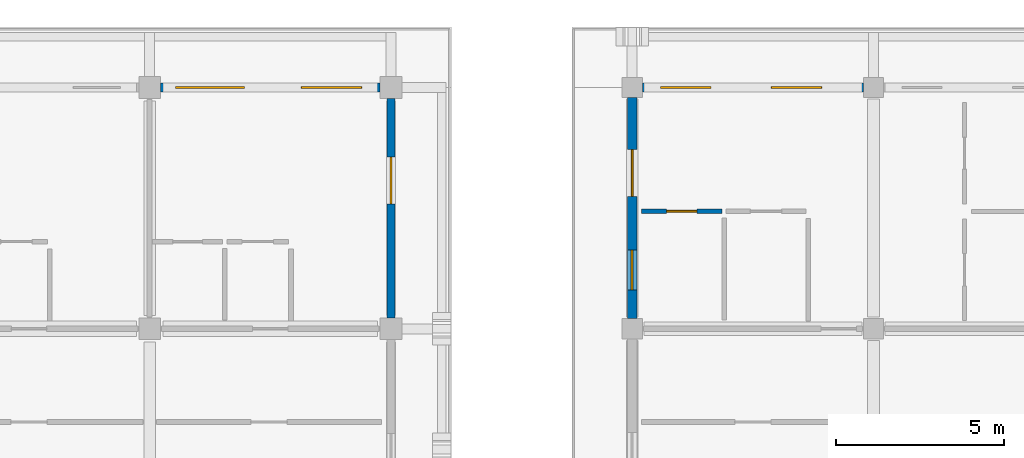
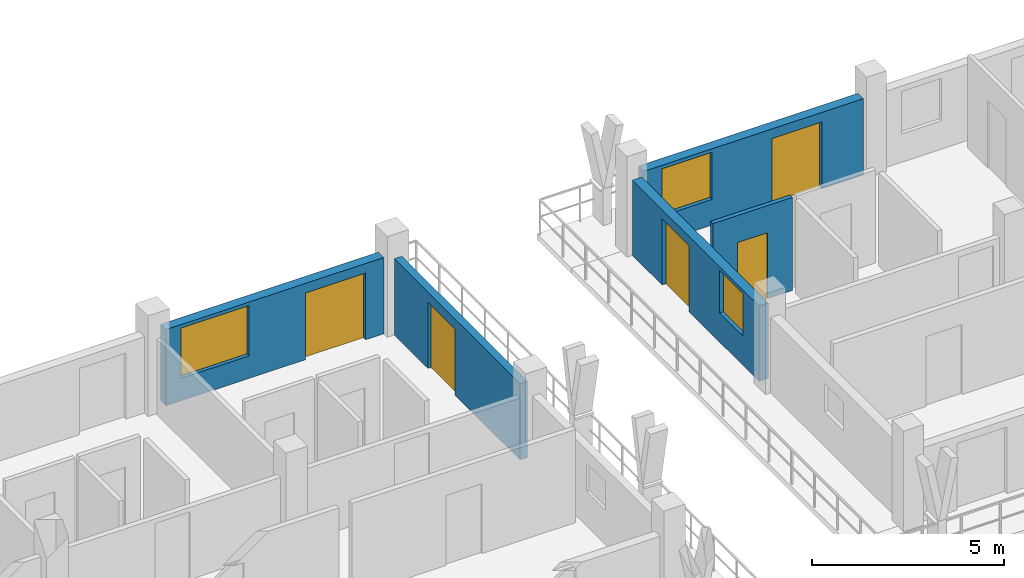
# One storey, part 127 of 157: 5 doors, 5 walls, 3 windows, 8 openings.
"""IFC4 building model written with IfcOpenShell, lengths in metres."""

import ifcopenshell
import ifcopenshell.guid

model = None  # the IFC model being written
_history = None  # IfcOwnerHistory: only IFC2X3 demands one
_inside = {}  # id of a spatial element -> (the spatial element, [elements in it])
_under = {}  # id of a project, library or spatial element -> (it, [spatial elements below it])
_declared = {}  # id of a project -> (the project, [libraries it declares])
_typed = {}  # id of a type object -> (the type object, [elements of that type])
_made_of = {}  # id of a material, layer set ... -> (it, [elements and type objects made of it])


def new_model(schema):
    """Start an empty IFC model of exactly this schema.

    Asked for "IFC4X3", IfcOpenShell would pick the latest addendum, in which some entities
    have other attributes; the version numbers below select the first issue.
    IFC2X3 requires an IfcOwnerHistory on every rooted entity: one is made here for all.
    """
    global model, _history
    if schema == "IFC4X3":
        model = ifcopenshell.file(schema_version=(4, 3, 0, 0))
    else:
        model = ifcopenshell.file(schema=schema)
    _inside.clear()
    _under.clear()
    _declared.clear()
    _typed.clear()
    _made_of.clear()
    _history = None
    if model.schema == "IFC2X3":
        org = make("IfcOrganization", Name="unknown")
        user = make(
            "IfcPersonAndOrganization",
            ThePerson=make("IfcPerson", FamilyName="unknown"),
            TheOrganization=org,
        )
        app = make(
            "IfcApplication",
            ApplicationDeveloper=org,
            Version="unknown",
            ApplicationFullName="unknown",
            ApplicationIdentifier="unknown",
        )
        _history = make(
            "IfcOwnerHistory",
            OwningUser=user,
            OwningApplication=app,
            ChangeAction="ADDED",
            CreationDate=0,
        )
    return model


def make(cls, **values):
    """One entity of the class cls with the attributes given. An attribute that is None is left unset."""
    return model.create_entity(
        cls, **{name: value for name, value in values.items() if value is not None}
    )


def rooted(cls, **values):
    """An entity with a GlobalId (a new one), such as an element, a storey or a relation."""
    return make(cls, GlobalId=ifcopenshell.guid.new(), OwnerHistory=_history, **values)


def si_unit(unit_type, name, prefix=None):
    """IfcSIUnit, for example si_unit("LENGTHUNIT", "METRE", prefix="MILLI")."""
    return make("IfcSIUnit", UnitType=unit_type, Prefix=prefix, Name=name)


def assignment(units):
    """IfcUnitAssignment: the units of a project."""
    return None if units is None else make("IfcUnitAssignment", Units=units)


def point(xyz):
    """IfcCartesianPoint."""
    return None if xyz is None else make("IfcCartesianPoint", Coordinates=xyz)


def direction(xyz):
    """IfcDirection."""
    return None if xyz is None else make("IfcDirection", DirectionRatios=xyz)


def frame(location, z_axis=None, x_axis=None):
    """IfcAxis2Placement3D, a coordinate frame: its origin and axes. An axis left out is left unset."""
    return make(
        "IfcAxis2Placement3D",
        Location=point(location),
        Axis=direction(z_axis),
        RefDirection=direction(x_axis),
    )


def frame_2d(location, x_axis=None):
    """IfcAxis2Placement2D, a coordinate frame in the plane: its origin and x axis."""
    return make(
        "IfcAxis2Placement2D", Location=point(location), RefDirection=direction(x_axis)
    )


def origin():
    """The frame at (0, 0, 0) with its axes left unset."""
    return frame((0.0, 0.0, 0.0))


def place(relative_to, where):
    """IfcLocalPlacement: puts the frame where relative to a parent placement (None: the world)."""
    return make(
        "IfcLocalPlacement", PlacementRelTo=relative_to, RelativePlacement=where
    )


def context(
    kind, dimensions, precision=None, world=None, true_north=None, identifier=None
):
    """IfcGeometricRepresentationContext, for example the 3D "Model" context."""
    return make(
        "IfcGeometricRepresentationContext",
        ContextIdentifier=identifier,
        ContextType=kind,
        CoordinateSpaceDimension=dimensions,
        Precision=precision,
        WorldCoordinateSystem=world,
        TrueNorth=true_north,
    )


def subcontext(parent, identifier, kind, view, scale=None):
    """IfcGeometricRepresentationSubContext, for example "Body" below "Model"."""
    return make(
        "IfcGeometricRepresentationSubContext",
        ContextIdentifier=identifier,
        ContextType=kind,
        ParentContext=parent,
        TargetScale=scale,
        TargetView=view,
    )


def project(units=None, contexts=None):
    """IfcProject with its units and contexts."""
    return rooted(
        "IfcProject",
        Name="project",
        RepresentationContexts=contexts,
        UnitsInContext=assignment(units),
    )


def spatial(cls, under=None, at=None, **own):
    """A site, building, storey or space (cls), placed at a placement, below another one or the project."""
    s = rooted(cls, ObjectPlacement=at, **own)
    if under is not None:
        _under.setdefault(under.id(), (under, []))[1].append(s)
    return s


def profile(cls, at=None, kind="AREA", **sizes):
    """A parametric profile (cls). Its sizes go by their IFC names, for example OverallWidth=200.0."""
    return make(cls, ProfileType=kind, Position=at, **sizes)


def rectangle(**sizes):
    """IfcRectangleProfileDef."""
    return profile("IfcRectangleProfileDef", **sizes)


def extrude(swept, where, along, depth):
    """IfcExtrudedAreaSolid: the profile swept, set in the frame where, extruded along a direction by depth."""
    return make(
        "IfcExtrudedAreaSolid",
        SweptArea=swept,
        Position=where,
        ExtrudedDirection=direction(along),
        Depth=depth,
    )


def shape(context_of_items, identifier, shape_type, items):
    """IfcShapeRepresentation: the items that make up one representation, for example the "Body"."""
    return make(
        "IfcShapeRepresentation",
        ContextOfItems=context_of_items,
        RepresentationIdentifier=identifier,
        RepresentationType=shape_type,
        Items=items,
    )


def material(Name=None, Category=None):
    """IfcMaterial."""
    return make("IfcMaterial", Name=Name, Category=Category)


def layer(
    of_material, thickness, ventilated=None, Name=None, Category=None, Priority=None
):
    """IfcMaterialLayer: one layer of a wall or slab, of a material (None: an air gap)."""
    return make(
        "IfcMaterialLayer",
        Material=of_material,
        LayerThickness=thickness,
        IsVentilated=ventilated,
        Name=Name,
        Category=Category,
        Priority=Priority,
    )


def layer_set(layers, Name=None):
    """IfcMaterialLayerSet."""
    return make("IfcMaterialLayerSet", MaterialLayers=layers, LayerSetName=Name)


def made_of(thing, what):
    """Note that an element or type object is made of a material, layer set ...; save() writes the relation."""
    if what is not None:
        _made_of.setdefault(what.id(), (what, []))[1].append(thing)
    return thing


def type_object(cls, material=None, **own):
    """A type object (cls), such as IfcWallType, which elements share."""
    return made_of(rooted(cls, **own), material)


def element(
    cls,
    number,
    at=None,
    inside=None,
    cuts=None,
    type_object=None,
    material=None,
    context=None,
    identifier="Body",
    shape_type=None,
    held_by="IfcProductDefinitionShape",
    body=None,
    shapes=None,
    **own,
):
    """One element of the class cls, such as IfcWall. Its Tag is "e" and its number.

    at: its placement. inside: the storey or other place that contains it. cuts: it is an
    opening in that element (IfcRelVoidsElement). A single representation is given by context,
    identifier, shape_type and body (its items); several are given by shapes. held_by: the class
    of the entity that holds the representations. save() writes the other relations.
    """
    e = rooted(cls, Tag="e%d" % number, ObjectPlacement=at, **own)
    if body is not None:
        shapes = [shape(context, identifier, shape_type, body)]
    if shapes is not None:
        e.Representation = make(held_by, Representations=shapes)
    if inside is not None:
        _inside.setdefault(inside.id(), (inside, []))[1].append(e)
    if cuts is not None:
        rooted(
            "IfcRelVoidsElement", RelatingBuildingElement=cuts, RelatedOpeningElement=e
        )
    if type_object is not None:
        _typed.setdefault(type_object.id(), (type_object, []))[1].append(e)
    return made_of(e, material)


def fill(opening, filler):
    """IfcRelFillsElement: the door or window that sits in an opening."""
    return rooted(
        "IfcRelFillsElement",
        RelatingOpeningElement=opening,
        RelatedBuildingElement=filler,
    )


def aggregate(whole, parts):
    """IfcRelAggregates: a whole, such as a stair, and the parts it consists of."""
    return rooted("IfcRelAggregates", RelatingObject=whole, RelatedObjects=parts)


def save(model, path):
    """Write the relations noted so far, then the file.

    IfcRelAggregates (storeys below a building ...), IfcRelContainedInSpatialStructure (elements
    in a storey), IfcRelDefinesByType, IfcRelAssociatesMaterial and IfcRelDeclares: one each for
    every whole, place, type object, material and project.
    """
    for whole, parts in _under.values():
        aggregate(whole, parts)
    for where, things in _inside.values():
        rooted(
            "IfcRelContainedInSpatialStructure",
            RelatedElements=things,
            RelatingStructure=where,
        )
    for kind, things in _typed.values():
        rooted("IfcRelDefinesByType", RelatedObjects=things, RelatingType=kind)
    for what, things in _made_of.values():
        rooted("IfcRelAssociatesMaterial", RelatedObjects=things, RelatingMaterial=what)
    for by, libraries in _declared.values():
        rooted("IfcRelDeclares", RelatingContext=by, RelatedDefinitions=libraries)
    model.write(path)


model = new_model("IFC4")

# Units and contexts
model_context = context("Model", 3, precision=1e-05, world=origin(), true_north=direction((0.0, 1.0)))
body_context = subcontext(model_context, "Body", "Model", "MODEL_VIEW")
ifc_project = project(units=[si_unit("LENGTHUNIT", "METRE"), si_unit("AREAUNIT", "SQUARE_METRE"), si_unit("VOLUMEUNIT", "CUBIC_METRE"), si_unit("PLANEANGLEUNIT", "RADIAN"), si_unit("MASSUNIT", "GRAM", prefix="KILO")], contexts=[model_context])

# Site, building, storey
site_placement = place(None, origin())
site = spatial("IfcSite", under=ifc_project, at=site_placement, CompositionType="ELEMENT")
building_placement = place(site_placement, origin())
building = spatial("IfcBuilding", under=site, at=building_placement, Name="Suanplinth Sawtooth Commons", CompositionType="ELEMENT")
storey_placement = place(building_placement, frame((0.0, 0.0, 9.0)))
storey = spatial("IfcBuildingStorey", under=building, at=storey_placement, Name="L02", CompositionType="ELEMENT", Elevation=9.0)

# Wall, openings, door, window
ifc_material_1 = material(Name="Precast concrete C40/50", Category="concrete")
ifc_layer_1 = layer(ifc_material_1, 0.280029296875, Name="Insulated precast architectural facade wall 280mm")
ifc_layer_set_1 = layer_set([ifc_layer_1], Name="Precast concrete C40/50")
wall_type_1 = type_object("IfcWallType", Name="W-EX01", PredefinedType="ELEMENTEDWALL", material=ifc_layer_set_1)
wall_1_placement = place(storey_placement, frame((108.324951171875, 122.39990234375, 0.0), z_axis=(0.0, 0.0, 1.0), x_axis=(1.0, 0.0, 0.0)))
wall_1 = element("IfcWall", 1, at=wall_1_placement, inside=storey, type_object=wall_type_1, Name="Facade Wall W-L02-A-N-15", PredefinedType="ELEMENTEDWALL", context=body_context, shape_type="SweptSolid", body=[
    extrude(rectangle(XDim=6.550048828125, YDim=0.280029296875, at=frame_2d((3.27490234375, 0.0))), origin(), (0.0, 0.0, 1.0), 2.425048828125),
])
opening_1_placement = place(wall_1_placement, frame((4.199951171875, 0.0, 0.0)))
opening_1 = element("IfcOpeningElement", 2, at=opening_1_placement, cuts=wall_1, Name="Opening ED0151", PredefinedType="OPENING", context=body_context, shape_type="SweptSolid", body=[
    extrude(rectangle(XDim=1.800048828125, YDim=2.1201171875, at=frame_2d((0.89990234375, 1.06005859375))), frame((0.0, 0.15478515625, 0.0), z_axis=(0.0, -1.0, 0.0), x_axis=(1.0, 0.0, 0.0)), (0.0, 0.0, 1.0), 0.309814453125),
])
opening_2_placement = place(wall_1_placement, frame((0.449951171875, 0.0, 0.715087890625)))
opening_2 = element("IfcOpeningElement", 3, at=opening_2_placement, cuts=wall_1, Name="Opening W0265", PredefinedType="OPENING", context=body_context, shape_type="SweptSolid", body=[
    extrude(rectangle(XDim=2.050048828125, YDim=1.60009765625, at=frame_2d((1.02490234375, 0.800048828125))), frame((0.0, 0.15478515625, 0.0), z_axis=(0.0, -1.0, 0.0), x_axis=(1.0, 0.0, 0.0)), (0.0, 0.0, 1.0), 0.309814453125),
])
ifc_material_2 = material(Name="Anodized aluminium and low-E glass", Category="aluminium")
door_type_1 = type_object("IfcDoorType", Name="SD-01", OperationType="SLIDING_TO_LEFT", PredefinedType="DOOR", material=ifc_material_2)
door_1_placement = place(opening_1_placement, frame((1.800048828125, 0.0, 0.0), z_axis=(0.0, 0.0, 1.0), x_axis=(-1.0, 0.0, 0.0)))
door_1 = element("IfcDoor", 4, at=door_1_placement, inside=storey, type_object=door_type_1, Name="Balcony Sliding Door L02-A-N-15", OperationType="SLIDING_TO_LEFT", OverallHeight=2.1201171875, OverallWidth=1.800048828125, PredefinedType="DOOR", context=body_context, shape_type="SweptSolid", body=[
    extrude(rectangle(XDim=1.800048828125, YDim=2.1201171875, at=frame_2d((0.89990234375, 1.06005859375))), frame((0.0, 0.02490234375, 0.0), z_axis=(0.0, -1.0, 0.0), x_axis=(1.0, 0.0, 0.0)), (0.0, 0.0, 1.0), 0.050048828125),
])
fill(opening_1, door_1)
ifc_material_3 = material(Name="Thermally broken aluminium and low-E double glazing", Category="aluminium")
window_type_1 = type_object("IfcWindowType", Name="WN-25", PartitioningType="DOUBLE_PANEL_VERTICAL", PredefinedType="WINDOW", material=ifc_material_3)
window_1_placement = place(opening_2_placement, origin())
window_1 = element("IfcWindow", 5, at=window_1_placement, inside=storey, type_object=window_type_1, Name="Window L02-A-N-15", OverallHeight=1.60009765625, OverallWidth=2.050048828125, PartitioningType="DOUBLE_PANEL_VERTICAL", PredefinedType="WINDOW", context=body_context, shape_type="SweptSolid", body=[
    extrude(rectangle(XDim=2.050048828125, YDim=1.60009765625, at=frame_2d((1.02490234375, 0.800048828125))), frame((0.0, 0.030029296875, 0.0), z_axis=(0.0, -1.0, 0.0), x_axis=(1.0, 0.0, 0.0)), (0.0, 0.0, 1.0), 0.06005859375),
])
fill(opening_2, window_1)

wall_2_placement = place(storey_placement, frame((122.699951171875, 122.39990234375, 0.0), z_axis=(0.0, 0.0, 1.0), x_axis=(1.0, 0.0, 0.0)))
wall_2 = element("IfcWall", 6, at=wall_2_placement, inside=storey, type_object=wall_type_1, Name="Facade Wall W-L02-B-N-17-16", PredefinedType="ELEMENTEDWALL", context=body_context, shape_type="SweptSolid", body=[
    extrude(rectangle(XDim=6.60009765625, YDim=0.280029296875, at=frame_2d((3.300048828125, 0.0))), origin(), (0.0, 0.0, 1.0), 2.425048828125),
])
opening_3_placement = place(wall_2_placement, frame((3.85009765625, 0.0, 0.0)))
opening_3 = element("IfcOpeningElement", 7, at=opening_3_placement, cuts=wall_2, Name="Opening ED0156", PredefinedType="OPENING", context=body_context, shape_type="SweptSolid", body=[
    extrude(rectangle(XDim=1.5, YDim=2.1201171875, at=frame_2d((0.75, 1.06005859375))), frame((0.0, 0.15478515625, 0.0), z_axis=(0.0, -1.0, 0.0), x_axis=(1.0, 0.0, 0.0)), (0.0, 0.0, 1.0), 0.309814453125),
])
opening_4_placement = place(wall_2_placement, frame((0.550048828125, 0.0, 0.81494140625)))
opening_4 = element("IfcOpeningElement", 8, at=opening_4_placement, cuts=wall_2, Name="Opening W0270", PredefinedType="OPENING", context=body_context, shape_type="SweptSolid", body=[
    extrude(rectangle(XDim=1.5, YDim=1.5, at=frame_2d((0.75, 0.75))), frame((0.0, 0.15478515625, 0.0), z_axis=(0.0, -1.0, 0.0), x_axis=(1.0, 0.0, 0.0)), (0.0, 0.0, 1.0), 0.309814453125),
])
door_type_2 = type_object("IfcDoorType", Name="SD-03", OperationType="SLIDING_TO_LEFT", PredefinedType="DOOR", material=ifc_material_2)
door_2_placement = place(opening_3_placement, frame((1.5, 0.0, 0.0), z_axis=(0.0, 0.0, 1.0), x_axis=(-1.0, 0.0, 0.0)))
door_2 = element("IfcDoor", 9, at=door_2_placement, inside=storey, type_object=door_type_2, Name="Balcony Sliding Door L02-B-17", OperationType="SLIDING_TO_LEFT", OverallHeight=2.1201171875, OverallWidth=1.5, PredefinedType="DOOR", context=body_context, shape_type="SweptSolid", body=[
    extrude(rectangle(XDim=1.5, YDim=2.1201171875, at=frame_2d((0.75, 1.06005859375))), frame((0.0, 0.02490234375, 0.0), z_axis=(0.0, -1.0, 0.0), x_axis=(1.0, 0.0, 0.0)), (0.0, 0.0, 1.0), 0.050048828125),
])
fill(opening_3, door_2)
window_type_2 = type_object("IfcWindowType", Name="WN-02", PartitioningType="DOUBLE_PANEL_VERTICAL", PredefinedType="WINDOW", material=ifc_material_3)
window_2_placement = place(opening_4_placement, origin())
window_2 = element("IfcWindow", 10, at=window_2_placement, inside=storey, type_object=window_type_2, Name="Apartment Window L02-B-17", OverallHeight=1.5, OverallWidth=1.5, PartitioningType="DOUBLE_PANEL_VERTICAL", PredefinedType="WINDOW", context=body_context, shape_type="SweptSolid", body=[
    extrude(rectangle(XDim=1.5, YDim=1.5, at=frame_2d((0.75, 0.75))), frame((0.0, 0.030029296875, 0.0), z_axis=(0.0, -1.0, 0.0), x_axis=(1.0, 0.0, 0.0)), (0.0, 0.0, 1.0), 0.06005859375),
])
fill(opening_4, window_2)

wall_3_placement = place(storey_placement, frame((122.39990234375, 115.5, 0.0), z_axis=(0.0, 0.0, 1.0), x_axis=(0.0, 1.0, 0.0)))
wall_3 = element("IfcWall", 11, at=wall_3_placement, inside=storey, type_object=wall_type_1, Name="Facade Wall W-L02-B-W-17-16", PredefinedType="ELEMENTEDWALL", context=body_context, shape_type="SweptSolid", body=[
    extrude(rectangle(XDim=6.60009765625, YDim=0.280029296875, at=frame_2d((3.300048828125, 0.0))), origin(), (0.0, 0.0, 1.0), 2.39501953125),
])
opening_5_placement = place(wall_3_placement, frame((3.64990234375, 0.0, 0.0)))
opening_5 = element("IfcOpeningElement", 12, at=opening_5_placement, cuts=wall_3, Name="Opening ED0157", PredefinedType="OPENING", context=body_context, shape_type="SweptSolid", body=[
    extrude(rectangle(XDim=1.39990234375, YDim=2.10009765625, at=frame_2d((0.699951171875, 1.050048828125))), frame((0.0, 0.15478515625, 0.0), z_axis=(0.0, -1.0, 0.0), x_axis=(1.0, 0.0, 0.0)), (0.0, 0.0, 1.0), 0.309814453125),
])
opening_6_placement = place(wall_3_placement, frame((0.85009765625, 0.0, 0.93505859375)))
opening_6 = element("IfcOpeningElement", 13, at=opening_6_placement, cuts=wall_3, Name="Opening W0271", PredefinedType="OPENING", context=body_context, shape_type="SweptSolid", body=[
    extrude(rectangle(XDim=1.199951171875, YDim=1.35009765625, at=frame_2d((0.60009765625, 0.675048828125))), frame((0.0, 0.15478515625, 0.0), z_axis=(0.0, -1.0, 0.0), x_axis=(1.0, 0.0, 0.0)), (0.0, 0.0, 1.0), 0.309814453125),
])
door_type_3 = type_object("IfcDoorType", Name="SD-07", OperationType="SLIDING_TO_RIGHT", PredefinedType="DOOR", material=ifc_material_2)
door_3_placement = place(opening_5_placement, frame((1.39990234375, 0.0, 0.0), z_axis=(0.0, 0.0, 1.0), x_axis=(-1.0, 0.0, 0.0)))
door_3 = element("IfcDoor", 14, at=door_3_placement, inside=storey, type_object=door_type_3, Name="End Balcony Sliding Door L02-B-W-17-16", OperationType="SLIDING_TO_RIGHT", OverallHeight=2.10009765625, OverallWidth=1.39990234375, PredefinedType="DOOR", context=body_context, shape_type="SweptSolid", body=[
    extrude(rectangle(XDim=1.39990234375, YDim=2.10009765625, at=frame_2d((0.699951171875, 1.050048828125))), frame((0.0, 0.02490234375, 0.0), z_axis=(0.0, -1.0, 0.0), x_axis=(1.0, 0.0, 0.0)), (0.0, 0.0, 1.0), 0.050048828125),
])
fill(opening_5, door_3)
window_type_3 = type_object("IfcWindowType", Name="WN-03", PartitioningType="SINGLE_PANEL", PredefinedType="WINDOW", material=ifc_material_3)
window_3_placement = place(opening_6_placement, origin())
window_3 = element("IfcWindow", 15, at=window_3_placement, inside=storey, type_object=window_type_3, Name="End Bedroom Window L02-B-17-16", OverallHeight=1.35009765625, OverallWidth=1.199951171875, PartitioningType="SINGLE_PANEL", PredefinedType="WINDOW", context=body_context, shape_type="SweptSolid", body=[
    extrude(rectangle(XDim=1.199951171875, YDim=1.35009765625, at=frame_2d((0.60009765625, 0.675048828125))), frame((0.0, 0.030029296875, 0.0), z_axis=(0.0, -1.0, 0.0), x_axis=(1.0, 0.0, 0.0)), (0.0, 0.0, 1.0), 0.06005859375),
])
fill(opening_6, window_3)

# Wall, opening, door
ifc_layer_2 = layer(ifc_material_1, 0.22998046875, Name="Stepped terrace insulated precast wall 230mm")
ifc_layer_set_2 = layer_set([ifc_layer_2], Name="Precast concrete C40/50")
wall_type_2 = type_object("IfcWallType", Name="W-EX06", PredefinedType="ELEMENTEDWALL", material=ifc_layer_set_2)
wall_4_placement = place(storey_placement, frame((115.199951171875, 115.52490234375, 0.0), z_axis=(0.0, 0.0, 1.0), x_axis=(0.0, 1.0, 0.0)))
wall_4 = element("IfcWall", 16, at=wall_4_placement, inside=storey, type_object=wall_type_2, Name="End Wall W-L02-A-E-16", PredefinedType="ELEMENTEDWALL", context=body_context, shape_type="SweptSolid", body=[
    extrude(rectangle(XDim=6.550048828125, YDim=0.22998046875, at=frame_2d((3.27490234375, 0.0))), origin(), (0.0, 0.0, 1.0), 2.425048828125),
])
opening_7_placement = place(wall_4_placement, frame((3.39990234375, 0.0, 0.0)))
opening_7 = element("IfcOpeningElement", 17, at=opening_7_placement, cuts=wall_4, Name="Opening ED0154", PredefinedType="OPENING", context=body_context, shape_type="SweptSolid", body=[
    extrude(rectangle(XDim=1.39990234375, YDim=2.10009765625, at=frame_2d((0.699951171875, 1.050048828125))), frame((0.0, 0.1298828125, 0.0), z_axis=(0.0, -1.0, 0.0), x_axis=(1.0, 0.0, 0.0)), (0.0, 0.0, 1.0), 0.259765625),
])
door_4_placement = place(opening_7_placement, frame((1.39990234375, 0.0, 0.0), z_axis=(0.0, 0.0, 1.0), x_axis=(-1.0, 0.0, 0.0)))
door_4 = element("IfcDoor", 18, at=door_4_placement, inside=storey, type_object=door_type_3, Name="L02 Block A E End Balcony Door", OperationType="SLIDING_TO_RIGHT", OverallHeight=2.10009765625, OverallWidth=1.39990234375, PredefinedType="DOOR", context=body_context, shape_type="SweptSolid", body=[
    extrude(rectangle(XDim=1.39990234375, YDim=2.10009765625, at=frame_2d((0.699951171875, 1.050048828125))), frame((0.0, 0.02490234375, 0.0), z_axis=(0.0, -1.0, 0.0), x_axis=(1.0, 0.0, 0.0)), (0.0, 0.0, 1.0), 0.050048828125),
])
fill(opening_7, door_4)

ifc_material_4 = material(Name="Gypsum plasterboard on steel stud", Category="steel")
ifc_layer_3 = layer(ifc_material_4, 0.1298828125, Name="Moisture-resistant bathroom partition 130mm")
ifc_layer_set_3 = layer_set([ifc_layer_3], Name="Gypsum plasterboard on steel stud")
wall_type_3 = type_object("IfcWallType", Name="W-PT02", PredefinedType="PARTITIONING", material=ifc_layer_set_3)
wall_5_placement = place(storey_placement, frame((122.679931640625, 118.705078125, 0.0), z_axis=(0.0, 0.0, 1.0), x_axis=(1.0, 0.0, 0.0)))
wall_5 = element("IfcWall", 19, at=wall_5_placement, inside=storey, type_object=wall_type_3, Name="W-B-L02-U01-BTH1", PredefinedType="PARTITIONING", context=body_context, shape_type="SweptSolid", body=[
    extrude(rectangle(XDim=2.400146484375, YDim=0.1298828125, at=frame_2d((1.2001953125, 0.0))), origin(), (0.0, 0.0, 1.0), 2.9599609375),
])
opening_8_placement = place(wall_5_placement, frame((0.75, 0.0, 0.0)))
opening_8 = element("IfcOpeningElement", 20, at=opening_8_placement, cuts=wall_5, Name="Opening D0746", PredefinedType="OPENING", context=body_context, shape_type="SweptSolid", body=[
    extrude(rectangle(XDim=0.89990234375, YDim=2.10009765625, at=frame_2d((0.449951171875, 1.050048828125))), frame((0.0, 0.079833984375, 0.0), z_axis=(0.0, -1.0, 0.0), x_axis=(1.0, 0.0, 0.0)), (0.0, 0.0, 1.0), 0.15966796875),
])
ifc_material_5 = material(Name="Teak hardwood", Category="wood")
door_type_4 = type_object("IfcDoorType", Name="D-01", OperationType="NOTDEFINED", PredefinedType="DOOR", material=ifc_material_5)
door_5_placement = place(opening_8_placement, frame((0.89990234375, 0.0, 0.0), z_axis=(0.0, 0.0, 1.0), x_axis=(-1.0, 0.0, 0.0)))
door_5 = element("IfcDoor", 21, at=door_5_placement, inside=storey, type_object=door_type_4, Name="Bathroom Door D0746", OperationType="SINGLE_SWING_RIGHT", OverallHeight=2.10009765625, OverallWidth=0.89990234375, PredefinedType="DOOR", context=body_context, shape_type="SweptSolid", body=[
    extrude(rectangle(XDim=0.89990234375, YDim=2.10009765625, at=frame_2d((0.449951171875, 1.050048828125))), frame((0.0, 0.02490234375, 0.0), z_axis=(0.0, -1.0, 0.0), x_axis=(1.0, 0.0, 0.0)), (0.0, 0.0, 1.0), 0.050048828125),
])
fill(opening_8, door_5)

save(model, "model.ifc")
